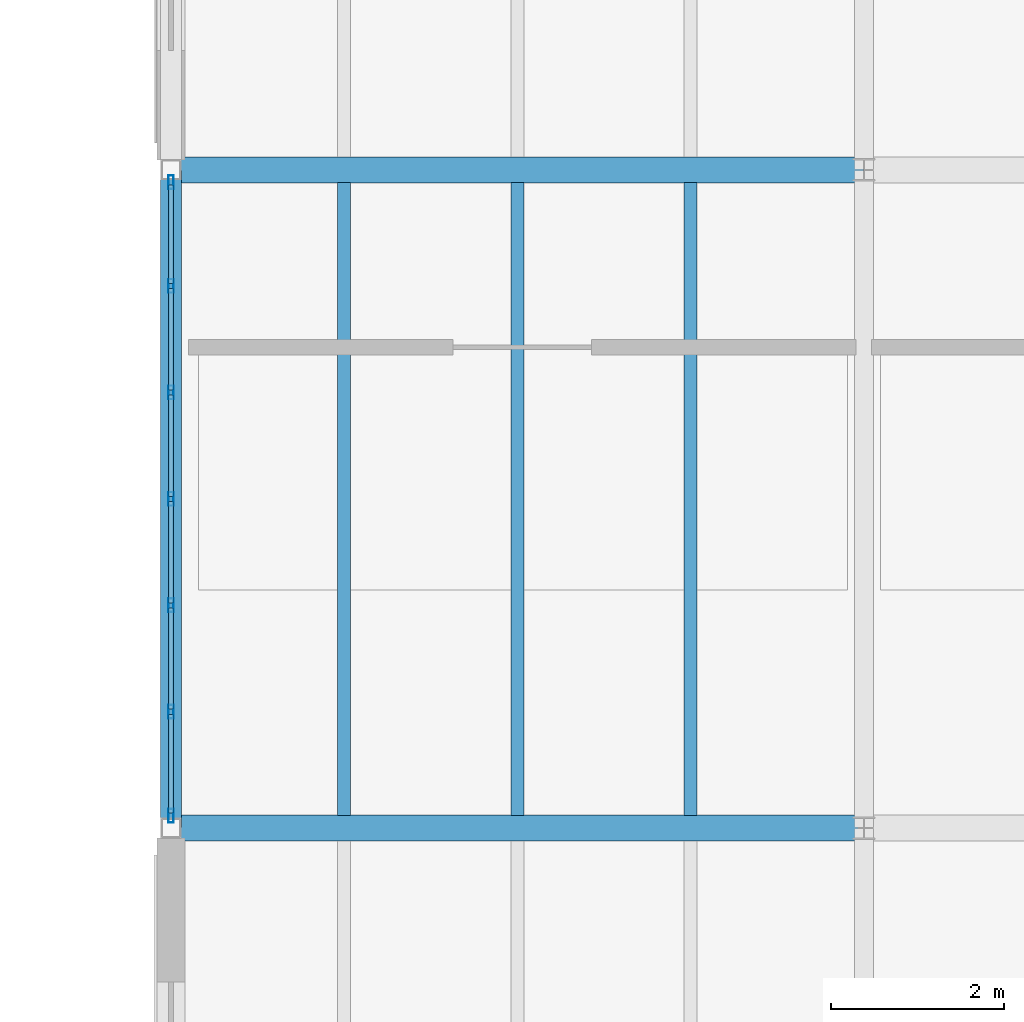
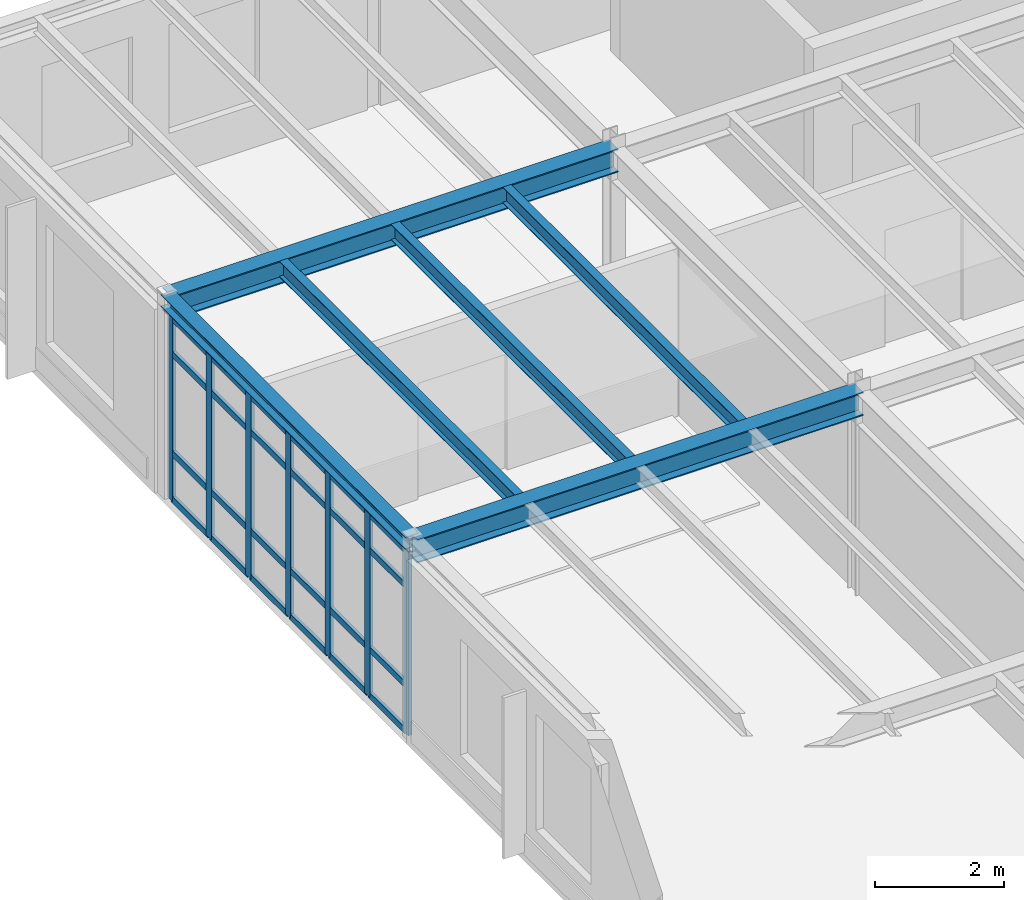
# One storey, part 58 of 114: 31 members, 6 beams, 1 element without a shape of its own.
"""IFC4 building model written with IfcOpenShell, lengths in metres."""

from ifc_helpers import new_model, si_unit, direction, frame, origin, origin_2d, place, context, subcontext, project, spatial, hollow_rectangle, i_section, extrude, material, layer, layer_set, material_profile, profile_set, type_object, element, aggregate, save


model = new_model("IFC4")

# Units and contexts
model_context = context("Model", 3, precision=1e-05, world=origin(), true_north=direction((0.0, 1.0)))
body_context = subcontext(model_context, "Body", "Model", "MODEL_VIEW")
ifc_project = project(units=[si_unit("LENGTHUNIT", "METRE"), si_unit("AREAUNIT", "SQUARE_METRE"), si_unit("VOLUMEUNIT", "CUBIC_METRE"), si_unit("PLANEANGLEUNIT", "RADIAN"), si_unit("MASSUNIT", "GRAM", prefix="KILO")], contexts=[model_context])

# Site, building, storey
site_placement = place(None, origin())
site = spatial("IfcSite", under=ifc_project, at=site_placement, CompositionType="ELEMENT")
building_placement = place(site_placement, origin())
building = spatial("IfcBuilding", under=site, at=building_placement, Name="Montecoro Central Library", CompositionType="ELEMENT")
storey_placement = place(building_placement, frame((0.0, 0.0, 13.260009765625)))
storey = spatial("IfcBuildingStorey", under=building, at=storey_placement, Name="L03", CompositionType="ELEMENT", Elevation=13.260009765625)

# Beams
ifc_material_1 = material(Name="Steel S355J2", Category="steel")
ifc_material_profile_1 = material_profile(ifc_material_1, i_section(OverallWidth=0.300048828125, OverallDepth=0.43994140625, WebThickness=0.011474609375, FlangeThickness=0.02099609375, at=origin_2d()), Name="HEA 450")
ifc_profile_set_1 = profile_set([ifc_material_profile_1], Name="Steel S355J2")
beam_type_1 = type_object("IfcBeamType", Name="BM-G-HEA450", PredefinedType="USERDEFINED", material=ifc_profile_set_1)
for number, where, z_axis, x_axis, name in (
    (1, (141.0048828125, 27.800048828125, 3.60498046875), (1.0, 0.0, 0.0), (0.0, 1.0, 0.0), "V6-L03-BX-1819-D"),
    (2, (141.0048828125, 35.39990234375, 3.60498046875), (1.0, 0.0, 0.0), (0.0, 1.0, 0.0), "V6-L03-BX-1819-E"),
):
    element("IfcBeam", number, at=place(storey_placement, frame(where, z_axis=z_axis, x_axis=x_axis)), inside=storey, type_object=beam_type_1, Name=name, ObjectType="GIRDER", PredefinedType="USERDEFINED", context=body_context, shape_type="SweptSolid", body=[
        extrude(i_section(OverallWidth=0.300048828125, OverallDepth=0.43994140625, WebThickness=0.011474609375, FlangeThickness=0.02099609375, at=origin_2d()), origin(), (0.0, 0.0, 1.0), 7.990234375),
    ])
ifc_material_2 = material(Name="Steel S355", Category="steel")
ifc_material_profile_2 = material_profile(ifc_material_2, i_section(OverallWidth=0.14990234375, OverallDepth=0.300048828125, WebThickness=0.007080078125, FlangeThickness=0.0107421875, at=origin_2d()), Name="IPE 300")
ifc_profile_set_2 = profile_set([ifc_material_profile_2], Name="Steel S355")
beam_type_2 = type_object("IfcBeamType", Name="BM-J-IPE300", PredefinedType="JOIST", material=ifc_profile_set_2)
for number, where, z_axis, x_axis, name in (
    (3, (143.0, 27.947021484375, 3.675048828125), (0.0, 1.0, 0.0), (-1.0, 0.0, 0.0), "V6-L03-JS-1819-DE-1"),
    (4, (145.0, 27.947021484375, 3.675048828125), (0.0, 1.0, 0.0), (-1.0, 0.0, 0.0), "V6-L03-JS-1819-DE-2"),
    (5, (147.0, 27.947021484375, 3.675048828125), (0.0, 1.0, 0.0), (-1.0, 0.0, 0.0), "V6-L03-JS-1819-DE-3"),
):
    element("IfcBeam", number, at=place(storey_placement, frame(where, z_axis=z_axis, x_axis=x_axis)), inside=storey, type_object=beam_type_2, Name=name, PredefinedType="JOIST", context=body_context, shape_type="SweptSolid", body=[
        extrude(i_section(OverallWidth=0.14990234375, OverallDepth=0.300048828125, WebThickness=0.007080078125, FlangeThickness=0.0107421875, at=origin_2d()), origin(), (0.0, 0.0, 1.0), 7.305908203125),
    ])
ifc_material_profile_3 = material_profile(ifc_material_2, i_section(OverallWidth=0.239990234375, OverallDepth=0.22998046875, WebThickness=0.007568359375, FlangeThickness=0.011962890625, at=origin_2d()), Name="HEA 240")
ifc_profile_set_3 = profile_set([ifc_material_profile_3], Name="Steel S355")
beam_type_3 = type_object("IfcBeamType", Name="BM-SP-HEA240", PredefinedType="SPANDREL", material=ifc_profile_set_3)
beam_placement = place(storey_placement, frame((141.0, 27.804931640625, 3.7099609375), z_axis=(0.0, 1.0, 0.0), x_axis=(-1.0, 0.0, 0.0)))
element("IfcBeam", 6, at=beam_placement, inside=storey, type_object=beam_type_3, Name="V6-L03-BY-18-DE", PredefinedType="SPANDREL", context=body_context, shape_type="SweptSolid", body=[
    extrude(i_section(OverallWidth=0.239990234375, OverallDepth=0.22998046875, WebThickness=0.007568359375, FlangeThickness=0.011962890625, at=origin_2d()), origin(), (0.0, 0.0, 1.0), 7.590087890625),
])

# Curtain wall, members
ifc_material_3 = material(Name="Bronze-anodised aluminium and low-E glazing", Category="aluminium")
ifc_layer = layer(ifc_material_3, 0.159912109375)
ifc_layer_set = layer_set([ifc_layer], Name="Bronze-anodised aluminium and low-E glazing")
curtain_wall_type = type_object("IfcCurtainWallType", Name="CWT-071", PredefinedType="NOTDEFINED", material=ifc_layer_set)
curtain_wall_placement = place(storey_placement, origin())
curtain_wall = element("IfcCurtainWall", 7, at=curtain_wall_placement, inside=storey, type_object=curtain_wall_type, Name="V6-L03-CW-W3", PredefinedType="NOTDEFINED")
ifc_material_4 = material(Name="Bronze-anodised aluminium", Category="aluminium")
ifc_material_profile_4 = material_profile(ifc_material_4, hollow_rectangle(XDim=0.06005859375, YDim=0.159912109375, WallThickness=0.00390625, at=origin_2d()), Name="CWM 160x60x4.0")
ifc_profile_set_4 = profile_set([ifc_material_profile_4], Name="Bronze-anodised aluminium")
member_type_1 = type_object("IfcMemberType", Name="CWM-BRZ-60", PredefinedType="MULLION", material=ifc_profile_set_4)
member_1_placement = place(storey_placement, frame((141.0, 35.257080078125, 0.0), z_axis=(0.0, 0.0, 1.0), x_axis=(1.0, 0.0, 0.0)))
member_1 = element("IfcMember", 8, at=member_1_placement, type_object=member_type_1, Name="CW-071 mullion 1", PredefinedType="MULLION", context=body_context, shape_type="SweptSolid", body=[
    extrude(hollow_rectangle(XDim=0.06005859375, YDim=0.159912109375, WallThickness=0.00390625, at=origin_2d()), origin(), (0.0, 0.0, 1.0), 3.47998046875),
])
member_2_placement = place(storey_placement, frame((141.0, 34.05810546875, 0.0), z_axis=(0.0, 0.0, 1.0), x_axis=(1.0, 0.0, 0.0)))
member_2 = element("IfcMember", 9, at=member_2_placement, type_object=member_type_1, Name="CW-071 mullion 2", PredefinedType="MULLION", context=body_context, shape_type="SweptSolid", body=[
    extrude(hollow_rectangle(XDim=0.06005859375, YDim=0.159912109375, WallThickness=0.00390625, at=origin_2d()), origin(), (0.0, 0.0, 1.0), 3.47998046875),
])
member_3_placement = place(storey_placement, frame((141.0, 32.8291015625, 0.0), z_axis=(0.0, 0.0, 1.0), x_axis=(1.0, 0.0, 0.0)))
member_3 = element("IfcMember", 10, at=member_3_placement, type_object=member_type_1, Name="CW-071 mullion 3", PredefinedType="MULLION", context=body_context, shape_type="SweptSolid", body=[
    extrude(hollow_rectangle(XDim=0.06005859375, YDim=0.159912109375, WallThickness=0.00390625, at=origin_2d()), origin(), (0.0, 0.0, 1.0), 3.47998046875),
])
member_4_placement = place(storey_placement, frame((141.0, 31.60009765625, 0.0), z_axis=(0.0, 0.0, 1.0), x_axis=(1.0, 0.0, 0.0)))
member_4 = element("IfcMember", 11, at=member_4_placement, type_object=member_type_1, Name="CW-071 mullion 4", PredefinedType="MULLION", context=body_context, shape_type="SweptSolid", body=[
    extrude(hollow_rectangle(XDim=0.06005859375, YDim=0.159912109375, WallThickness=0.00390625, at=origin_2d()), origin(), (0.0, 0.0, 1.0), 3.47998046875),
])
member_5_placement = place(storey_placement, frame((141.0, 30.37109375, 0.0), z_axis=(0.0, 0.0, 1.0), x_axis=(1.0, 0.0, 0.0)))
member_5 = element("IfcMember", 12, at=member_5_placement, type_object=member_type_1, Name="CW-071 mullion 5", PredefinedType="MULLION", context=body_context, shape_type="SweptSolid", body=[
    extrude(hollow_rectangle(XDim=0.06005859375, YDim=0.159912109375, WallThickness=0.00390625, at=origin_2d()), origin(), (0.0, 0.0, 1.0), 3.47998046875),
])
member_6_placement = place(storey_placement, frame((141.0, 29.14208984375, 0.0), z_axis=(0.0, 0.0, 1.0), x_axis=(1.0, 0.0, 0.0)))
member_6 = element("IfcMember", 13, at=member_6_placement, type_object=member_type_1, Name="CW-071 mullion 6", PredefinedType="MULLION", context=body_context, shape_type="SweptSolid", body=[
    extrude(hollow_rectangle(XDim=0.06005859375, YDim=0.159912109375, WallThickness=0.00390625, at=origin_2d()), origin(), (0.0, 0.0, 1.0), 3.47998046875),
])
member_7_placement = place(storey_placement, frame((141.0, 27.943115234375, 0.0), z_axis=(0.0, 0.0, 1.0), x_axis=(1.0, 0.0, 0.0)))
member_7 = element("IfcMember", 14, at=member_7_placement, type_object=member_type_1, Name="CW-071 mullion 7", PredefinedType="MULLION", context=body_context, shape_type="SweptSolid", body=[
    extrude(hollow_rectangle(XDim=0.06005859375, YDim=0.159912109375, WallThickness=0.00390625, at=origin_2d()), origin(), (0.0, 0.0, 1.0), 3.47998046875),
])
ifc_material_profile_5 = material_profile(ifc_material_4, hollow_rectangle(XDim=0.06005859375, YDim=0.1201171875, WallThickness=0.00390625, at=origin_2d()), Name="CWT 120x60x4.0")
ifc_profile_set_5 = profile_set([ifc_material_profile_5], Name="Bronze-anodised aluminium")
member_type_2 = type_object("IfcMemberType", Name="CWT-BRZ-60", PredefinedType="USERDEFINED", material=ifc_profile_set_5)
member_8_placement = place(storey_placement, frame((141.0, 35.22705078125, 0.030029296875), z_axis=(0.0, -1.0, 0.0), x_axis=(1.0, 0.0, 0.0)))
member_8 = element("IfcMember", 15, at=member_8_placement, type_object=member_type_2, Name="CW-071 transom 1.1", ObjectType="TRANSOM", PredefinedType="USERDEFINED", context=body_context, shape_type="SweptSolid", body=[
    extrude(hollow_rectangle(XDim=0.06005859375, YDim=0.1201171875, WallThickness=0.00390625, at=origin_2d()), origin(), (0.0, 0.0, 1.0), 1.13916015625),
])
member_9_placement = place(storey_placement, frame((141.0, 35.22705078125, 0.89990234375), z_axis=(0.0, -1.0, 0.0), x_axis=(1.0, 0.0, 0.0)))
member_9 = element("IfcMember", 16, at=member_9_placement, type_object=member_type_2, Name="CW-071 transom 1.2", ObjectType="TRANSOM", PredefinedType="USERDEFINED", context=body_context, shape_type="SweptSolid", body=[
    extrude(hollow_rectangle(XDim=0.06005859375, YDim=0.1201171875, WallThickness=0.00390625, at=origin_2d()), origin(), (0.0, 0.0, 1.0), 1.13916015625),
])
member_10_placement = place(storey_placement, frame((141.0, 35.22705078125, 2.780029296875), z_axis=(0.0, -1.0, 0.0), x_axis=(1.0, 0.0, 0.0)))
member_10 = element("IfcMember", 17, at=member_10_placement, type_object=member_type_2, Name="CW-071 transom 1.3", ObjectType="TRANSOM", PredefinedType="USERDEFINED", context=body_context, shape_type="SweptSolid", body=[
    extrude(hollow_rectangle(XDim=0.06005859375, YDim=0.1201171875, WallThickness=0.00390625, at=origin_2d()), origin(), (0.0, 0.0, 1.0), 1.13916015625),
])
member_11_placement = place(storey_placement, frame((141.0, 35.22705078125, 3.449951171875), z_axis=(0.0, -1.0, 0.0), x_axis=(1.0, 0.0, 0.0)))
member_11 = element("IfcMember", 18, at=member_11_placement, type_object=member_type_2, Name="CW-071 transom 1.4", ObjectType="TRANSOM", PredefinedType="USERDEFINED", context=body_context, shape_type="SweptSolid", body=[
    extrude(hollow_rectangle(XDim=0.06005859375, YDim=0.1201171875, WallThickness=0.00390625, at=origin_2d()), origin(), (0.0, 0.0, 1.0), 1.13916015625),
])
member_12_placement = place(storey_placement, frame((141.0, 34.028076171875, 0.030029296875), z_axis=(0.0, -1.0, 0.0), x_axis=(1.0, 0.0, 0.0)))
member_12 = element("IfcMember", 19, at=member_12_placement, type_object=member_type_2, Name="CW-071 transom 2.1", ObjectType="TRANSOM", PredefinedType="USERDEFINED", context=body_context, shape_type="SweptSolid", body=[
    extrude(hollow_rectangle(XDim=0.06005859375, YDim=0.1201171875, WallThickness=0.00390625, at=origin_2d()), origin(), (0.0, 0.0, 1.0), 1.169189453125),
])
member_13_placement = place(storey_placement, frame((141.0, 34.028076171875, 0.89990234375), z_axis=(0.0, -1.0, 0.0), x_axis=(1.0, 0.0, 0.0)))
member_13 = element("IfcMember", 20, at=member_13_placement, type_object=member_type_2, Name="CW-071 transom 2.2", ObjectType="TRANSOM", PredefinedType="USERDEFINED", context=body_context, shape_type="SweptSolid", body=[
    extrude(hollow_rectangle(XDim=0.06005859375, YDim=0.1201171875, WallThickness=0.00390625, at=origin_2d()), origin(), (0.0, 0.0, 1.0), 1.169189453125),
])
member_14_placement = place(storey_placement, frame((141.0, 34.028076171875, 2.780029296875), z_axis=(0.0, -1.0, 0.0), x_axis=(1.0, 0.0, 0.0)))
member_14 = element("IfcMember", 21, at=member_14_placement, type_object=member_type_2, Name="CW-071 transom 2.3", ObjectType="TRANSOM", PredefinedType="USERDEFINED", context=body_context, shape_type="SweptSolid", body=[
    extrude(hollow_rectangle(XDim=0.06005859375, YDim=0.1201171875, WallThickness=0.00390625, at=origin_2d()), origin(), (0.0, 0.0, 1.0), 1.169189453125),
])
member_15_placement = place(storey_placement, frame((141.0, 34.028076171875, 3.449951171875), z_axis=(0.0, -1.0, 0.0), x_axis=(1.0, 0.0, 0.0)))
member_15 = element("IfcMember", 22, at=member_15_placement, type_object=member_type_2, Name="CW-071 transom 2.4", ObjectType="TRANSOM", PredefinedType="USERDEFINED", context=body_context, shape_type="SweptSolid", body=[
    extrude(hollow_rectangle(XDim=0.06005859375, YDim=0.1201171875, WallThickness=0.00390625, at=origin_2d()), origin(), (0.0, 0.0, 1.0), 1.169189453125),
])
member_16_placement = place(storey_placement, frame((141.0, 32.799072265625, 0.030029296875), z_axis=(0.0, -1.0, 0.0), x_axis=(1.0, 0.0, 0.0)))
member_16 = element("IfcMember", 23, at=member_16_placement, type_object=member_type_2, Name="CW-071 transom 3.1", ObjectType="TRANSOM", PredefinedType="USERDEFINED", context=body_context, shape_type="SweptSolid", body=[
    extrude(hollow_rectangle(XDim=0.06005859375, YDim=0.1201171875, WallThickness=0.00390625, at=origin_2d()), origin(), (0.0, 0.0, 1.0), 1.169189453125),
])
member_17_placement = place(storey_placement, frame((141.0, 32.799072265625, 0.89990234375), z_axis=(0.0, -1.0, 0.0), x_axis=(1.0, 0.0, 0.0)))
member_17 = element("IfcMember", 24, at=member_17_placement, type_object=member_type_2, Name="CW-071 transom 3.2", ObjectType="TRANSOM", PredefinedType="USERDEFINED", context=body_context, shape_type="SweptSolid", body=[
    extrude(hollow_rectangle(XDim=0.06005859375, YDim=0.1201171875, WallThickness=0.00390625, at=origin_2d()), origin(), (0.0, 0.0, 1.0), 1.169189453125),
])
member_18_placement = place(storey_placement, frame((141.0, 32.799072265625, 2.780029296875), z_axis=(0.0, -1.0, 0.0), x_axis=(1.0, 0.0, 0.0)))
member_18 = element("IfcMember", 25, at=member_18_placement, type_object=member_type_2, Name="CW-071 transom 3.3", ObjectType="TRANSOM", PredefinedType="USERDEFINED", context=body_context, shape_type="SweptSolid", body=[
    extrude(hollow_rectangle(XDim=0.06005859375, YDim=0.1201171875, WallThickness=0.00390625, at=origin_2d()), origin(), (0.0, 0.0, 1.0), 1.169189453125),
])
member_19_placement = place(storey_placement, frame((141.0, 32.799072265625, 3.449951171875), z_axis=(0.0, -1.0, 0.0), x_axis=(1.0, 0.0, 0.0)))
member_19 = element("IfcMember", 26, at=member_19_placement, type_object=member_type_2, Name="CW-071 transom 3.4", ObjectType="TRANSOM", PredefinedType="USERDEFINED", context=body_context, shape_type="SweptSolid", body=[
    extrude(hollow_rectangle(XDim=0.06005859375, YDim=0.1201171875, WallThickness=0.00390625, at=origin_2d()), origin(), (0.0, 0.0, 1.0), 1.169189453125),
])
member_20_placement = place(storey_placement, frame((141.0, 31.570068359375, 0.030029296875), z_axis=(0.0, -1.0, 0.0), x_axis=(1.0, 0.0, 0.0)))
member_20 = element("IfcMember", 27, at=member_20_placement, type_object=member_type_2, Name="CW-071 transom 4.1", ObjectType="TRANSOM", PredefinedType="USERDEFINED", context=body_context, shape_type="SweptSolid", body=[
    extrude(hollow_rectangle(XDim=0.06005859375, YDim=0.1201171875, WallThickness=0.00390625, at=origin_2d()), origin(), (0.0, 0.0, 1.0), 1.169189453125),
])
member_21_placement = place(storey_placement, frame((141.0, 31.570068359375, 0.89990234375), z_axis=(0.0, -1.0, 0.0), x_axis=(1.0, 0.0, 0.0)))
member_21 = element("IfcMember", 28, at=member_21_placement, type_object=member_type_2, Name="CW-071 transom 4.2", ObjectType="TRANSOM", PredefinedType="USERDEFINED", context=body_context, shape_type="SweptSolid", body=[
    extrude(hollow_rectangle(XDim=0.06005859375, YDim=0.1201171875, WallThickness=0.00390625, at=origin_2d()), origin(), (0.0, 0.0, 1.0), 1.169189453125),
])
member_22_placement = place(storey_placement, frame((141.0, 31.570068359375, 2.780029296875), z_axis=(0.0, -1.0, 0.0), x_axis=(1.0, 0.0, 0.0)))
member_22 = element("IfcMember", 29, at=member_22_placement, type_object=member_type_2, Name="CW-071 transom 4.3", ObjectType="TRANSOM", PredefinedType="USERDEFINED", context=body_context, shape_type="SweptSolid", body=[
    extrude(hollow_rectangle(XDim=0.06005859375, YDim=0.1201171875, WallThickness=0.00390625, at=origin_2d()), origin(), (0.0, 0.0, 1.0), 1.169189453125),
])
member_23_placement = place(storey_placement, frame((141.0, 31.570068359375, 3.449951171875), z_axis=(0.0, -1.0, 0.0), x_axis=(1.0, 0.0, 0.0)))
member_23 = element("IfcMember", 30, at=member_23_placement, type_object=member_type_2, Name="CW-071 transom 4.4", ObjectType="TRANSOM", PredefinedType="USERDEFINED", context=body_context, shape_type="SweptSolid", body=[
    extrude(hollow_rectangle(XDim=0.06005859375, YDim=0.1201171875, WallThickness=0.00390625, at=origin_2d()), origin(), (0.0, 0.0, 1.0), 1.169189453125),
])
member_24_placement = place(storey_placement, frame((141.0, 30.341064453125, 0.030029296875), z_axis=(0.0, -1.0, 0.0), x_axis=(1.0, 0.0, 0.0)))
member_24 = element("IfcMember", 31, at=member_24_placement, type_object=member_type_2, Name="CW-071 transom 5.1", ObjectType="TRANSOM", PredefinedType="USERDEFINED", context=body_context, shape_type="SweptSolid", body=[
    extrude(hollow_rectangle(XDim=0.06005859375, YDim=0.1201171875, WallThickness=0.00390625, at=origin_2d()), origin(), (0.0, 0.0, 1.0), 1.1689453125),
])
member_25_placement = place(storey_placement, frame((141.0, 30.341064453125, 0.89990234375), z_axis=(0.0, -1.0, 0.0), x_axis=(1.0, 0.0, 0.0)))
member_25 = element("IfcMember", 32, at=member_25_placement, type_object=member_type_2, Name="CW-071 transom 5.2", ObjectType="TRANSOM", PredefinedType="USERDEFINED", context=body_context, shape_type="SweptSolid", body=[
    extrude(hollow_rectangle(XDim=0.06005859375, YDim=0.1201171875, WallThickness=0.00390625, at=origin_2d()), origin(), (0.0, 0.0, 1.0), 1.1689453125),
])
member_26_placement = place(storey_placement, frame((141.0, 30.341064453125, 2.780029296875), z_axis=(0.0, -1.0, 0.0), x_axis=(1.0, 0.0, 0.0)))
member_26 = element("IfcMember", 33, at=member_26_placement, type_object=member_type_2, Name="CW-071 transom 5.3", ObjectType="TRANSOM", PredefinedType="USERDEFINED", context=body_context, shape_type="SweptSolid", body=[
    extrude(hollow_rectangle(XDim=0.06005859375, YDim=0.1201171875, WallThickness=0.00390625, at=origin_2d()), origin(), (0.0, 0.0, 1.0), 1.1689453125),
])
member_27_placement = place(storey_placement, frame((141.0, 30.341064453125, 3.449951171875), z_axis=(0.0, -1.0, 0.0), x_axis=(1.0, 0.0, 0.0)))
member_27 = element("IfcMember", 34, at=member_27_placement, type_object=member_type_2, Name="CW-071 transom 5.4", ObjectType="TRANSOM", PredefinedType="USERDEFINED", context=body_context, shape_type="SweptSolid", body=[
    extrude(hollow_rectangle(XDim=0.06005859375, YDim=0.1201171875, WallThickness=0.00390625, at=origin_2d()), origin(), (0.0, 0.0, 1.0), 1.1689453125),
])
member_28_placement = place(storey_placement, frame((141.0, 29.112060546875, 0.030029296875), z_axis=(0.0, -1.0, 0.0), x_axis=(1.0, 0.0, 0.0)))
member_28 = element("IfcMember", 35, at=member_28_placement, type_object=member_type_2, Name="CW-071 transom 6.1", ObjectType="TRANSOM", PredefinedType="USERDEFINED", context=body_context, shape_type="SweptSolid", body=[
    extrude(hollow_rectangle(XDim=0.06005859375, YDim=0.1201171875, WallThickness=0.00390625, at=origin_2d()), origin(), (0.0, 0.0, 1.0), 1.13916015625),
])
member_29_placement = place(storey_placement, frame((141.0, 29.112060546875, 0.89990234375), z_axis=(0.0, -1.0, 0.0), x_axis=(1.0, 0.0, 0.0)))
member_29 = element("IfcMember", 36, at=member_29_placement, type_object=member_type_2, Name="CW-071 transom 6.2", ObjectType="TRANSOM", PredefinedType="USERDEFINED", context=body_context, shape_type="SweptSolid", body=[
    extrude(hollow_rectangle(XDim=0.06005859375, YDim=0.1201171875, WallThickness=0.00390625, at=origin_2d()), origin(), (0.0, 0.0, 1.0), 1.13916015625),
])
member_30_placement = place(storey_placement, frame((141.0, 29.112060546875, 2.780029296875), z_axis=(0.0, -1.0, 0.0), x_axis=(1.0, 0.0, 0.0)))
member_30 = element("IfcMember", 37, at=member_30_placement, type_object=member_type_2, Name="CW-071 transom 6.3", ObjectType="TRANSOM", PredefinedType="USERDEFINED", context=body_context, shape_type="SweptSolid", body=[
    extrude(hollow_rectangle(XDim=0.06005859375, YDim=0.1201171875, WallThickness=0.00390625, at=origin_2d()), origin(), (0.0, 0.0, 1.0), 1.13916015625),
])
member_31_placement = place(storey_placement, frame((141.0, 29.112060546875, 3.449951171875), z_axis=(0.0, -1.0, 0.0), x_axis=(1.0, 0.0, 0.0)))
member_31 = element("IfcMember", 38, at=member_31_placement, type_object=member_type_2, Name="CW-071 transom 6.4", ObjectType="TRANSOM", PredefinedType="USERDEFINED", context=body_context, shape_type="SweptSolid", body=[
    extrude(hollow_rectangle(XDim=0.06005859375, YDim=0.1201171875, WallThickness=0.00390625, at=origin_2d()), origin(), (0.0, 0.0, 1.0), 1.13916015625),
])
aggregate(curtain_wall, [member_1, member_2, member_3, member_4, member_5, member_6, member_7, member_8, member_9, member_10, member_11, member_12, member_13, member_14, member_15, member_16, member_17, member_18, member_19, member_20, member_21, member_22, member_23, member_24, member_25, member_26, member_27, member_28, member_29, member_30, member_31])

save(model, "model.ifc")
